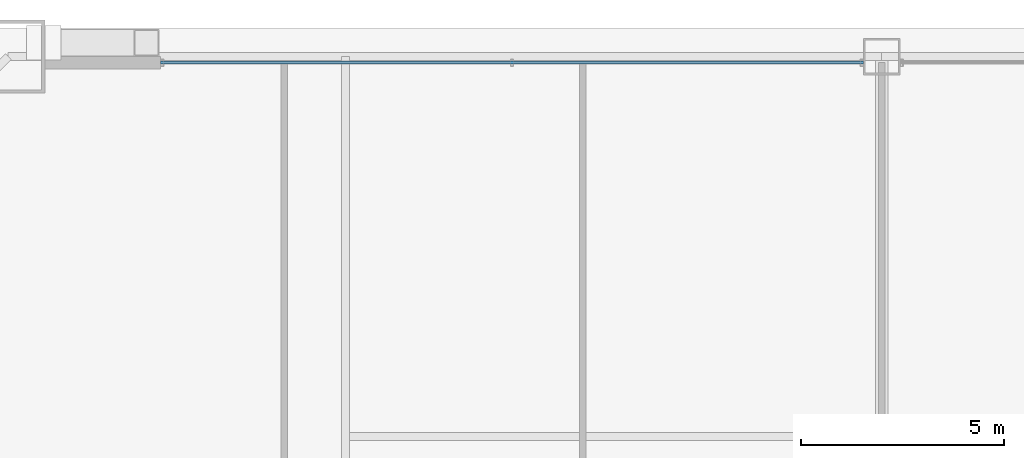
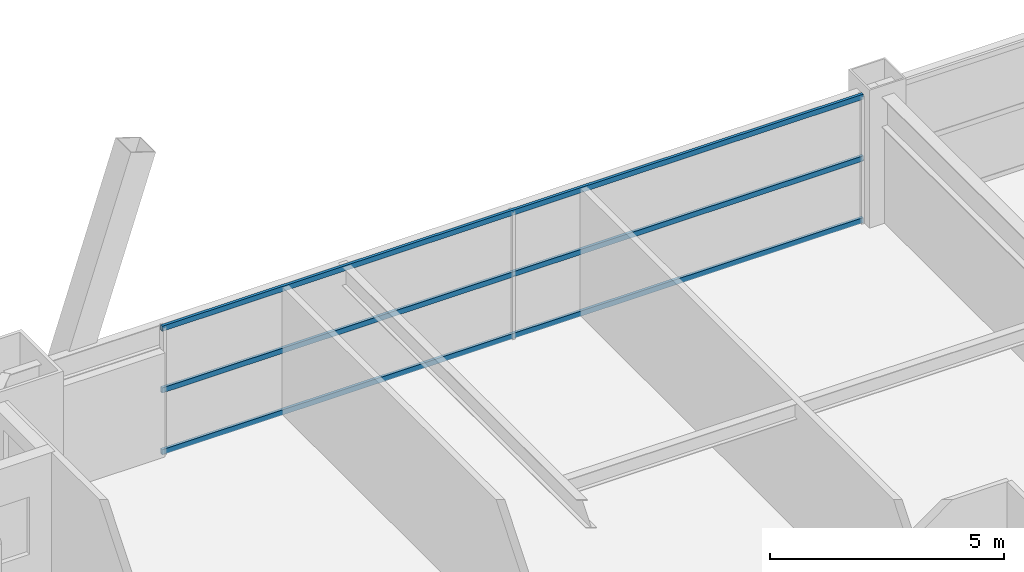
# One storey, part 29 of 43: 3 members, 1 element without a shape of its own.
"""IFC4 building model written with IfcOpenShell, lengths in metres."""

from ifc_helpers import new_model, si_unit, direction, frame, origin, origin_2d, place, context, subcontext, project, spatial, hollow_rectangle, extrude, source, transform, mapped, material, layer, layer_set, material_profile, profile_set, type_object, element, aggregate, save


model = new_model("IFC4")

# Units and contexts
model_context = context("Model", 3, precision=1e-05, world=origin(), true_north=direction((0.0, 1.0)))
body_context = subcontext(model_context, "Body", "Model", "MODEL_VIEW")
ifc_project = project(units=[si_unit("LENGTHUNIT", "METRE"), si_unit("AREAUNIT", "SQUARE_METRE"), si_unit("VOLUMEUNIT", "CUBIC_METRE"), si_unit("PLANEANGLEUNIT", "RADIAN"), si_unit("MASSUNIT", "GRAM", prefix="KILO"), si_unit("THERMODYNAMICTEMPERATUREUNIT", "KELVIN"), si_unit("POWERUNIT", "WATT")], contexts=[model_context])

# Site, building, storey
site_placement = place(None, origin())
site = spatial("IfcSite", under=ifc_project, at=site_placement, CompositionType="ELEMENT")
building_placement = place(site_placement, origin())
building = spatial("IfcBuilding", under=site, at=building_placement, Name="Yuzanri Waterfront Tower", CompositionType="ELEMENT")
storey_placement = place(building_placement, frame((0.0, 0.0, 37.800048828125)))
storey = spatial("IfcBuildingStorey", under=building, at=storey_placement, Name="L09", CompositionType="ELEMENT", Elevation=37.800048828125)

# Curtain wall, members
ifc_material_1 = material(Name="Anodized Architectural Bronze", Category="metal")
ifc_layer = layer(ifc_material_1, 0.159912109375)
ifc_layer_set = layer_set([ifc_layer], Name="Anodized Architectural Bronze")
curtain_wall_type = type_object("IfcCurtainWallType", Name="Anodized Bronze Hotel Lower-Tier Recessed Unitized Curtain Wall 8100", PredefinedType="NOTDEFINED", material=ifc_layer_set)
curtain_wall_placement = place(storey_placement, origin())
curtain_wall = element("IfcCurtainWall", 1, at=curtain_wall_placement, inside=storey, type_object=curtain_wall_type, Name="L09 Curtain Wall CW-L09-NL", PredefinedType="NOTDEFINED")
ifc_material_2 = material(Name="Anodized Architectural Bronze", Category="metal")
ifc_material_profile = material_profile(ifc_material_2, hollow_rectangle(XDim=0.070068359375, YDim=0.135009765625, WallThickness=0.00341796875, at=origin_2d()), Name="CWT 70x135")
ifc_profile_set = profile_set([ifc_material_profile], Name="Anodized Architectural Bronze")
member_type = type_object("IfcMemberType", Name="Anodized Bronze Standard Curtain-Wall Transom 70x135", PredefinedType="USERDEFINED", material=ifc_profile_set)
shared_shape = source(origin(), body_context, "Body", "SweptSolid", [
    extrude(hollow_rectangle(XDim=0.070068359375, YDim=0.135009765625, WallThickness=0.00341796875, at=origin_2d()), origin(), (0.0, 0.0, 1.0), 17.300048828125),
])
member_1_placement = place(storey_placement, frame((19.25, 50.75, 0.050048828125), z_axis=(1.0, 0.0, 0.0), x_axis=(0.0, 1.0, 0.0)))
member_1 = element("IfcMember", 2, at=member_1_placement, type_object=member_type, Name="CW-L09-NL Transom 1", ObjectType="TRANSOM", PredefinedType="USERDEFINED", context=body_context, shape_type="MappedRepresentation", body=[
    mapped(shared_shape, transform((0.0, 0.0, 0.0), scale=1.0)),
])
member_2_placement = place(storey_placement, frame((19.25, 50.75, 1.659912109375), z_axis=(1.0, 0.0, 0.0), x_axis=(0.0, 1.0, 0.0)))
member_2 = element("IfcMember", 3, at=member_2_placement, type_object=member_type, Name="CW-L09-NL Transom 2", ObjectType="TRANSOM", PredefinedType="USERDEFINED", context=body_context, shape_type="MappedRepresentation", body=[
    mapped(shared_shape, transform((0.0, 0.0, 0.0), scale=1.0)),
])
member_3_placement = place(storey_placement, frame((19.25, 50.75, 3.27001953125), z_axis=(1.0, 0.0, 0.0), x_axis=(0.0, 1.0, 0.0)))
member_3 = element("IfcMember", 4, at=member_3_placement, type_object=member_type, Name="CW-L09-NL Transom 3", ObjectType="TRANSOM", PredefinedType="USERDEFINED", context=body_context, shape_type="MappedRepresentation", body=[
    mapped(shared_shape, transform((0.0, 0.0, 0.0), scale=1.0)),
])
aggregate(curtain_wall, [member_1, member_2, member_3])

save(model, "model.ifc")
